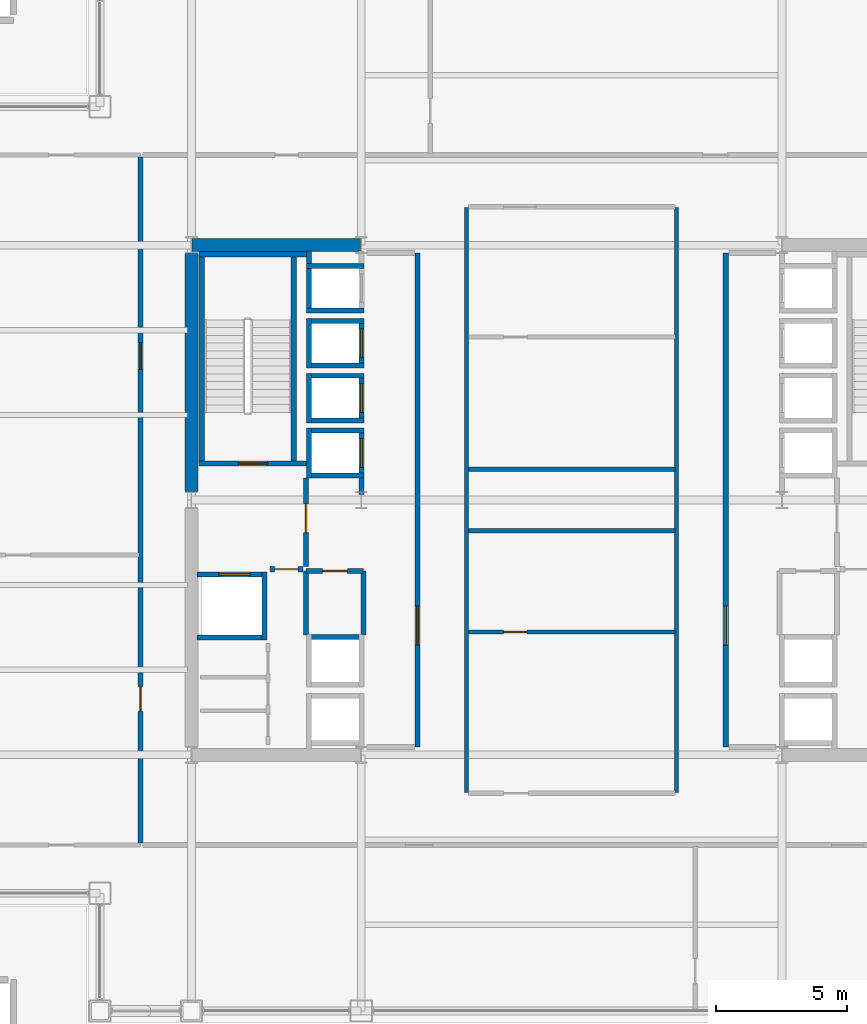
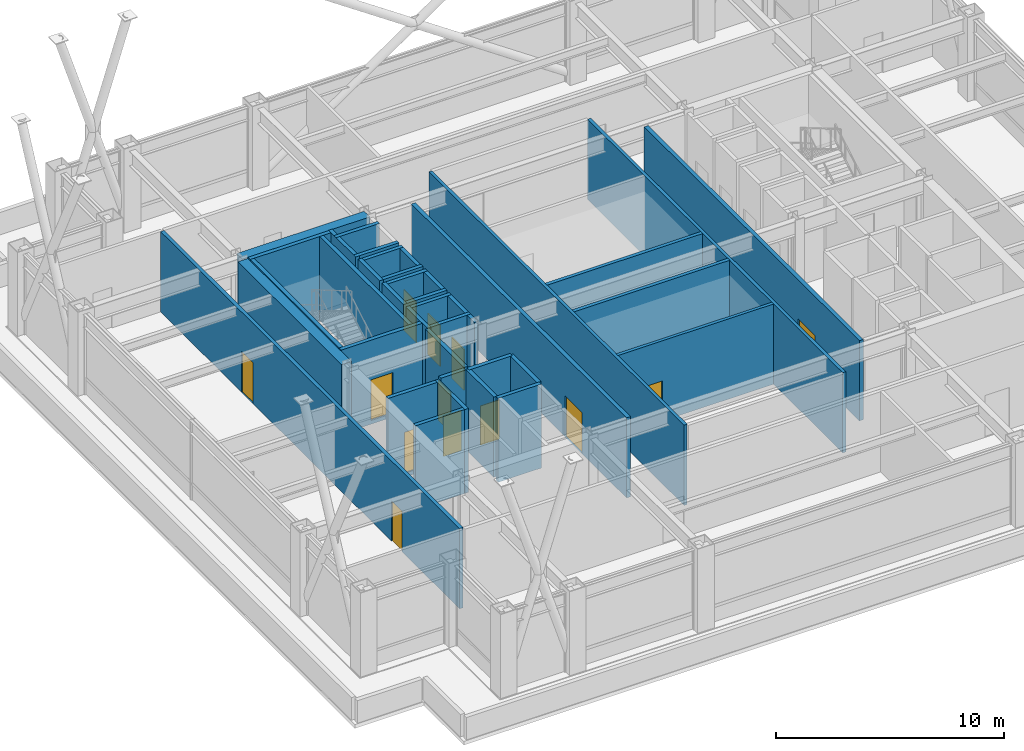
# One storey, part 29 of 32: 38 walls, 13 doors, 13 openings.
"""IFC4 building model written with IfcOpenShell, lengths in metres."""

from ifc_helpers import new_model, si_unit, direction, frame, frame_2d, origin, place, context, subcontext, project, spatial, rectangle, extrude, material, layer, layer_set, type_object, element, fill, save


model = new_model("IFC4")

# Units and contexts
model_context = context("Model", 3, precision=1e-05, world=origin(), true_north=direction((0.0, 1.0)))
body_context = subcontext(model_context, "Body", "Model", "MODEL_VIEW")
ifc_project = project(units=[si_unit("LENGTHUNIT", "METRE"), si_unit("AREAUNIT", "SQUARE_METRE"), si_unit("VOLUMEUNIT", "CUBIC_METRE"), si_unit("PLANEANGLEUNIT", "RADIAN"), si_unit("MASSUNIT", "GRAM", prefix="KILO")], contexts=[model_context])

# Site, building, storey
site_placement = place(None, origin())
site = spatial("IfcSite", under=ifc_project, at=site_placement, CompositionType="ELEMENT")
building_placement = place(site_placement, origin())
building = spatial("IfcBuilding", under=site, at=building_placement, Name="Brelmoor Portico Tower", CompositionType="ELEMENT")
storey_placement = place(building_placement, frame((0.0, 0.0, 87.300048828125)))
storey = spatial("IfcBuildingStorey", under=building, at=storey_placement, Name="L22", CompositionType="ELEMENT", Elevation=87.300048828125)

# Walls
ifc_material_1 = material(Name="Concrete C60", Category="concrete")
ifc_layer_1 = layer(ifc_material_1, 0.5)
ifc_layer_set_1 = layer_set([ifc_layer_1], Name="Concrete C60")
wall_type_1 = type_object("IfcWallType", Name="WL-CORE-500", PredefinedType="SHEAR", material=ifc_layer_set_1)
wall_1_placement = place(storey_placement, frame((-14.530029296875, 9.75, -0.199951171875), z_axis=(0.0, 0.0, 1.0), x_axis=(1.0, 0.0, 0.0)))
element("IfcWall", 1, at=wall_1_placement, inside=storey, type_object=wall_type_1, Name="L22 WC North Shear Wall", PredefinedType="SHEAR", context=body_context, shape_type="SweptSolid", body=[
    extrude(rectangle(XDim=6.4599609375, YDim=0.5, at=frame_2d((3.22998046875, 0.0))), origin(), (0.0, 0.0, 1.0), 4.5),
])
wall_2_placement = place(storey_placement, frame((-14.550048828125, 0.324951171875, -0.199951171875), z_axis=(0.0, 0.0, 1.0), x_axis=(0.0, 1.0, 0.0)))
element("IfcWall", 2, at=wall_2_placement, inside=storey, type_object=wall_type_1, Name="L22 WC Outer North Shear Wall", PredefinedType="SHEAR", context=body_context, shape_type="SweptSolid", body=[
    extrude(rectangle(XDim=9.10009765625, YDim=0.5, at=frame_2d((4.550048828125, 0.0))), origin(), (0.0, 0.0, 1.0), 4.5),
])
ifc_material_2 = material(Name="Twin-Frame Acoustic Partition", Category="gypsum")
ifc_layer_2 = layer(ifc_material_2, 0.159912109375)
ifc_layer_set_2 = layer_set([ifc_layer_2], Name="Twin-Frame Acoustic Partition")
wall_type_2 = type_object("IfcWallType", Name="WL-PART-160", PredefinedType="PARTITIONING", material=ifc_layer_set_2)
for number, where, z_axis, x_axis, name in (
    (3, (-4.02001953125, -11.199951171875, 0.0), (0.0, 0.0, 1.0), (0.0, 1.0, 0.0), "L22 Central Suite West Wall"),
    (4, (4.02001953125, -11.199951171875, 0.0), (0.0, 0.0, 1.0), (0.0, 1.0, 0.0), "L22 Central Suite East Wall"),
):
    element("IfcWall", number, at=place(storey_placement, frame(where, z_axis=z_axis, x_axis=x_axis)), inside=storey, type_object=wall_type_2, Name=name, PredefinedType="PARTITIONING", context=body_context, shape_type="SweptSolid", body=[
        extrude(rectangle(XDim=22.39990234375, YDim=0.159912109375, at=frame_2d((11.199951171875, 0.0))), origin(), (0.0, 0.0, 1.0), 4.300048828125),
    ])

# Wall, opening, door
wall_3_placement = place(storey_placement, frame((-3.949951171875, -5.050048828125, 0.0), z_axis=(0.0, 0.0, 1.0), x_axis=(1.0, 0.0, 0.0)))
wall_3 = element("IfcWall", 5, at=wall_3_placement, inside=storey, type_object=wall_type_2, Name="L22 Central Print Divider", PredefinedType="PARTITIONING", context=body_context, shape_type="SweptSolid", body=[
    extrude(rectangle(XDim=7.89990234375, YDim=0.159912109375, at=frame_2d((3.949951171875, 0.0))), origin(), (0.0, 0.0, 1.0), 4.300048828125),
])
opening_1_placement = place(wall_3_placement, frame((1.35009765625, 0.0, 0.0)))
opening_1 = element("IfcOpeningElement", 6, at=opening_1_placement, cuts=wall_3, Name="Opening D-IN1", PredefinedType="OPENING", context=body_context, shape_type="SweptSolid", body=[
    extrude(rectangle(XDim=0.89990234375, YDim=2.14990234375, at=frame_2d((0.449951171875, 1.074951171875))), frame((0.0, 0.08984375, 0.0), z_axis=(0.0, -1.0, 0.0), x_axis=(1.0, 0.0, 0.0)), (0.0, 0.0, 1.0), 0.179931640625),
])
ifc_material_3 = material(Name="Lacquered Timber Suite Door", Category="wood")
door_type_1 = type_object("IfcDoorType", Name="DR-INT-900", OperationType="NOTDEFINED", PredefinedType="DOOR", material=ifc_material_3)
door_1_placement = place(opening_1_placement, origin())
door_1 = element("IfcDoor", 7, at=door_1_placement, inside=storey, type_object=door_type_1, Name="D-0976 L22 Central Print Studio Door", OperationType="SINGLE_SWING_LEFT", OverallHeight=2.14990234375, OverallWidth=0.89990234375, PredefinedType="DOOR", context=body_context, shape_type="SweptSolid", body=[
    extrude(rectangle(XDim=0.89990234375, YDim=2.14990234375, at=frame_2d((0.449951171875, 1.074951171875))), frame((0.0, 0.02490234375, 0.0), z_axis=(0.0, -1.0, 0.0), x_axis=(1.0, 0.0, 0.0)), (0.0, 0.0, 1.0), 0.050048828125),
])
fill(opening_1, door_1)

# Walls
ifc_material_4 = material(Name="Acoustic Corridor Fire Partition", Category="gypsum")
ifc_layer_3 = layer(ifc_material_4, 0.179931640625)
ifc_layer_set_3 = layer_set([ifc_layer_3], Name="Acoustic Corridor Fire Partition")
wall_type_3 = type_object("IfcWallType", Name="WL-PART-180", PredefinedType="PARTITIONING", material=ifc_layer_set_3)
for number, where, z_axis, x_axis, name in (
    (8, (-3.949951171875, 1.179931640625, 0.0), (0.0, 0.0, 1.0), (1.0, 0.0, 0.0), "L22 Central Meeting South Wall"),
    (9, (-3.949951171875, -1.179931640625, 0.0), (0.0, 0.0, 1.0), (1.0, 0.0, 0.0), "L22 Central Pantry North Wall"),
):
    element("IfcWall", number, at=place(storey_placement, frame(where, z_axis=z_axis, x_axis=x_axis)), inside=storey, type_object=wall_type_3, Name=name, PredefinedType="PARTITIONING", context=body_context, shape_type="SweptSolid", body=[
        extrude(rectangle(XDim=7.89990234375, YDim=0.179931640625, at=frame_2d((3.949951171875, 0.0))), origin(), (0.0, 0.0, 1.0), 4.300048828125),
    ])

# Wall, openings, doors
wall_4_placement = place(storey_placement, frame((-16.5, -13.1201171875, 0.0), z_axis=(0.0, 0.0, 1.0), x_axis=(0.0, 1.0, 0.0)))
wall_4 = element("IfcWall", 10, at=wall_4_placement, inside=storey, type_object=wall_type_3, Name="L22 W Wing Corridor Wall", PredefinedType="PARTITIONING", context=body_context, shape_type="SweptSolid", body=[
    extrude(rectangle(XDim=26.240234375, YDim=0.179931640625, at=frame_2d((13.1201171875, 0.0))), origin(), (0.0, 0.0, 1.0), 4.300048828125),
])
opening_2_placement = place(wall_4_placement, frame((5.030517578125, 0.0, 0.0)))
opening_2 = element("IfcOpeningElement", 11, at=opening_2_placement, cuts=wall_4, Name="Opening D-IN2", PredefinedType="OPENING", context=body_context, shape_type="SweptSolid", body=[
    extrude(rectangle(XDim=0.9599609375, YDim=2.179931640625, at=frame_2d((0.47998046875, 1.08984375))), frame((0.0, 0.099853515625, 0.0), z_axis=(0.0, -1.0, 0.0), x_axis=(1.0, 0.0, 0.0)), (0.0, 0.0, 1.0), 0.199951171875),
])
opening_3_placement = place(wall_4_placement, frame((18.120361328125, 0.0, 0.0)))
opening_3 = element("IfcOpeningElement", 12, at=opening_3_placement, cuts=wall_4, Name="Opening D-OF1", PredefinedType="OPENING", context=body_context, shape_type="SweptSolid", body=[
    extrude(rectangle(XDim=1.02001953125, YDim=2.199951171875, at=frame_2d((0.510009765625, 1.10009765625))), frame((0.0, 0.099853515625, 0.0), z_axis=(0.0, -1.0, 0.0), x_axis=(1.0, 0.0, 0.0)), (0.0, 0.0, 1.0), 0.199951171875),
])
door_type_2 = type_object("IfcDoorType", Name="DR-INT-950", OperationType="NOTDEFINED", PredefinedType="DOOR", material=ifc_material_3)
door_2_placement = place(opening_2_placement, origin())
door_2 = element("IfcDoor", 13, at=door_2_placement, inside=storey, type_object=door_type_2, Name="D-1003 L22 W Sky-Lobby Transfer Lounge 1 Door", OperationType="SINGLE_SWING_LEFT", OverallHeight=2.179931640625, OverallWidth=0.9599609375, PredefinedType="DOOR", context=body_context, shape_type="SweptSolid", body=[
    extrude(rectangle(XDim=0.9599609375, YDim=2.179931640625, at=frame_2d((0.47998046875, 1.08984375))), frame((0.0, 0.02490234375, 0.0), z_axis=(0.0, -1.0, 0.0), x_axis=(1.0, 0.0, 0.0)), (0.0, 0.0, 1.0), 0.050048828125),
])
fill(opening_2, door_2)
ifc_material_5 = material(Name="Hardwood Acoustic Veneer Door", Category="wood")
door_type_3 = type_object("IfcDoorType", Name="DR-OFFICE-1000", OperationType="NOTDEFINED", PredefinedType="DOOR", material=ifc_material_5)
door_3_placement = place(opening_3_placement, origin())
door_3 = element("IfcDoor", 14, at=door_3_placement, inside=storey, type_object=door_type_3, Name="D-1004 L22 W Executive Business Office 2 Door", OperationType="SINGLE_SWING_RIGHT", OverallHeight=2.199951171875, OverallWidth=1.02001953125, PredefinedType="DOOR", context=body_context, shape_type="SweptSolid", body=[
    extrude(rectangle(XDim=1.02001953125, YDim=2.199951171875, at=frame_2d((0.510009765625, 1.10009765625))), frame((0.0, 0.02490234375, 0.0), z_axis=(0.0, -1.0, 0.0), x_axis=(1.0, 0.0, 0.0)), (0.0, 0.0, 1.0), 0.050048828125),
])
fill(opening_3, door_3)

# Wall, opening, door
ifc_material_6 = material(Name="Double-Stud Gypsum Fire Partition", Category="gypsum")
ifc_layer_4 = layer(ifc_material_6, 0.199951171875)
ifc_layer_set_4 = layer_set([ifc_layer_4], Name="Double-Stud Gypsum Fire Partition")
wall_type_4 = type_object("IfcWallType", Name="WL-PART-200", PredefinedType="PARTITIONING", material=ifc_layer_set_4)
wall_5_placement = place(storey_placement, frame((-5.89990234375, -9.449951171875, 0.0), z_axis=(0.0, 0.0, 1.0), x_axis=(0.0, 1.0, 0.0)))
wall_5 = element("IfcWall", 15, at=wall_5_placement, inside=storey, type_object=wall_type_4, Name="L22 W Core Lobby Compartment Wall", PredefinedType="PARTITIONING", context=body_context, shape_type="SweptSolid", body=[
    extrude(rectangle(XDim=18.89990234375, YDim=0.199951171875, at=frame_2d((9.449951171875, 0.0))), origin(), (0.0, 0.0, 1.0), 4.300048828125),
])
opening_4_placement = place(wall_5_placement, frame((3.89990234375, 0.0, 0.0)))
opening_4 = element("IfcOpeningElement", 16, at=opening_4_placement, cuts=wall_5, Name="Opening D-LB1", PredefinedType="OPENING", context=body_context, shape_type="SweptSolid", body=[
    extrude(rectangle(XDim=1.5, YDim=2.199951171875, at=frame_2d((0.75, 1.10009765625))), frame((0.0, 0.10986328125, 0.0), z_axis=(0.0, -1.0, 0.0), x_axis=(1.0, 0.0, 0.0)), (0.0, 0.0, 1.0), 0.219970703125),
])
ifc_material_7 = material(Name="Double-Leaf Glazed Steel Fire Door", Category="steel")
door_type_4 = type_object("IfcDoorType", Name="DR-LOBBY-1500", OperationType="NOTDEFINED", PredefinedType="DOOR", material=ifc_material_7)
door_4_placement = place(opening_4_placement, origin())
door_4 = element("IfcDoor", 17, at=door_4_placement, inside=storey, type_object=door_type_4, Name="D-0989 L22 W Lift Lobby Main Door", OperationType="DOUBLE_DOOR_SINGLE_SWING", OverallHeight=2.199951171875, OverallWidth=1.5, PredefinedType="DOOR", context=body_context, shape_type="SweptSolid", body=[
    extrude(rectangle(XDim=1.5, YDim=2.199951171875, at=frame_2d((0.75, 1.10009765625))), frame((0.0, 0.02490234375, 0.0), z_axis=(0.0, -1.0, 0.0), x_axis=(1.0, 0.0, 0.0)), (0.0, 0.0, 1.0), 0.050048828125),
])
fill(opening_4, door_4)

wall_6_placement = place(storey_placement, frame((-10.159912109375, -2.550048828125, 0.0), z_axis=(0.0, 0.0, 1.0), x_axis=(0.0, 1.0, 0.0)))
wall_6 = element("IfcWall", 18, at=wall_6_placement, inside=storey, type_object=wall_type_4, Name="L22 W Firefighting Lobby Wall", PredefinedType="PARTITIONING", context=body_context, shape_type="SweptSolid", body=[
    extrude(rectangle(XDim=3.400146484375, YDim=0.199951171875, at=frame_2d((1.7001953125, 0.0))), origin(), (0.0, 0.0, 1.0), 4.300048828125),
])
opening_5_placement = place(wall_6_placement, frame((1.300048828125, 0.0, 0.0)))
opening_5 = element("IfcOpeningElement", 19, at=opening_5_placement, cuts=wall_6, Name="Opening D-FR1", PredefinedType="OPENING", context=body_context, shape_type="SweptSolid", body=[
    extrude(rectangle(XDim=1.10009765625, YDim=2.14990234375, at=frame_2d((0.550048828125, 1.074951171875))), frame((0.0, 0.10986328125, 0.0), z_axis=(0.0, -1.0, 0.0), x_axis=(1.0, 0.0, 0.0)), (0.0, 0.0, 1.0), 0.219970703125),
])
ifc_material_8 = material(Name="Painted Galvanised Steel Fire Door", Category="steel")
door_type_5 = type_object("IfcDoorType", Name="DR-FIRE-1100", OperationType="NOTDEFINED", PredefinedType="DOOR", material=ifc_material_8)
door_5_placement = place(opening_5_placement, origin())
door_5 = element("IfcDoor", 20, at=door_5_placement, inside=storey, type_object=door_type_5, Name="D-0987 L22 W Firefighting Lobby Door", OperationType="SINGLE_SWING_LEFT", OverallHeight=2.14990234375, OverallWidth=1.10009765625, PredefinedType="DOOR", context=body_context, shape_type="SweptSolid", body=[
    extrude(rectangle(XDim=1.10009765625, YDim=2.14990234375, at=frame_2d((0.550048828125, 1.074951171875))), frame((0.0, 0.02490234375, 0.0), z_axis=(0.0, -1.0, 0.0), x_axis=(1.0, 0.0, 0.0)), (0.0, 0.0, 1.0), 0.050048828125),
])
fill(opening_5, door_5)

wall_7_placement = place(storey_placement, frame((-10.280029296875, -2.64990234375, 0.0), z_axis=(0.0, 0.0, 1.0), x_axis=(-1.0, 0.0, 0.0)))
wall_7 = element("IfcWall", 21, at=wall_7_placement, inside=storey, type_object=wall_type_4, Name="L22 W Firefighting Lobby South Wall", PredefinedType="PARTITIONING", context=body_context, shape_type="SweptSolid", body=[
    extrude(rectangle(XDim=1.27001953125, YDim=0.199951171875, at=frame_2d((0.635009765625, 0.0))), origin(), (0.0, 0.0, 1.0), 4.300048828125),
])
opening_6_placement = place(wall_7_placement, frame((0.18505859375, 0.0, 0.0)))
opening_6 = element("IfcOpeningElement", 22, at=opening_6_placement, cuts=wall_7, Name="Opening D-IN1", PredefinedType="OPENING", context=body_context, shape_type="SweptSolid", body=[
    extrude(rectangle(XDim=0.89990234375, YDim=2.14990234375, at=frame_2d((0.449951171875, 1.074951171875))), frame((0.0, 0.10986328125, 0.0), z_axis=(0.0, -1.0, 0.0), x_axis=(1.0, 0.0, 0.0)), (0.0, 0.0, 1.0), 0.219970703125),
])
door_6_placement = place(opening_6_placement, origin())
door_6 = element("IfcDoor", 23, at=door_6_placement, inside=storey, type_object=door_type_1, Name="D-0980 L22 W Core Service Vestibule Door", OperationType="SINGLE_SWING_RIGHT", OverallHeight=2.14990234375, OverallWidth=0.89990234375, PredefinedType="DOOR", context=body_context, shape_type="SweptSolid", body=[
    extrude(rectangle(XDim=0.89990234375, YDim=2.14990234375, at=frame_2d((0.449951171875, 1.074951171875))), frame((0.0, 0.02490234375, 0.0), z_axis=(0.0, -1.0, 0.0), x_axis=(1.0, 0.0, 0.0)), (0.0, 0.0, 1.0), 0.050048828125),
])
fill(opening_6, door_6)

wall_8_placement = place(storey_placement, frame((-7.9599609375, -2.719970703125, 0.0), z_axis=(0.0, 0.0, 1.0), x_axis=(-1.0, 0.0, 0.0)))
wall_8 = element("IfcWall", 24, at=wall_8_placement, inside=storey, type_object=wall_type_4, Name="L22 W Electrical Switchgear Closet Wall", PredefinedType="PARTITIONING", context=body_context, shape_type="SweptSolid", body=[
    extrude(rectangle(XDim=2.199951171875, YDim=0.199951171875, at=frame_2d((1.10009765625, 0.0))), origin(), (0.0, 0.0, 1.0), 4.300048828125),
])
opening_7_placement = place(wall_8_placement, frame((0.6201171875, 0.0, 0.0)))
opening_7 = element("IfcOpeningElement", 25, at=opening_7_placement, cuts=wall_8, Name="Opening D-FR4", PredefinedType="OPENING", context=body_context, shape_type="SweptSolid", body=[
    extrude(rectangle(XDim=0.949951171875, YDim=2.10009765625, at=frame_2d((0.47509765625, 1.050048828125))), frame((0.0, 0.10986328125, 0.0), z_axis=(0.0, -1.0, 0.0), x_axis=(1.0, 0.0, 0.0)), (0.0, 0.0, 1.0), 0.219970703125),
])
ifc_material_9 = material(Name="Painted Galvanised Steel Riser Door", Category="steel")
door_type_6 = type_object("IfcDoorType", Name="DR-FIRE-950", OperationType="NOTDEFINED", PredefinedType="DOOR", material=ifc_material_9)
door_7_placement = place(opening_7_placement, origin())
door_7 = element("IfcDoor", 26, at=door_7_placement, inside=storey, type_object=door_type_6, Name="D-0985 L22 W Electrical Switchgear Closet Door", OperationType="SINGLE_SWING_LEFT", OverallHeight=2.10009765625, OverallWidth=0.949951171875, PredefinedType="DOOR", context=body_context, shape_type="SweptSolid", body=[
    extrude(rectangle(XDim=0.949951171875, YDim=2.10009765625, at=frame_2d((0.47509765625, 1.050048828125))), frame((0.0, 0.02490234375, 0.0), z_axis=(0.0, -1.0, 0.0), x_axis=(1.0, 0.0, 0.0)), (0.0, 0.0, 1.0), 0.050048828125),
])
fill(opening_7, door_7)

# Walls
for number, where, z_axis, x_axis, name in (
    (27, (-7.9599609375, -5.159912109375, 0.0), (0.0, 0.0, 1.0), (0.0, 1.0, 0.0), "L22 W Electrical Switchgear Closet Inner Wall"),
    (28, (-10.159912109375, -5.159912109375, 0.0), (0.0, 0.0, 1.0), (0.0, 1.0, 0.0), "L22 W Electrical Switchgear Closet Outer Wall"),
):
    element("IfcWall", number, at=place(storey_placement, frame(where, z_axis=z_axis, x_axis=x_axis)), inside=storey, type_object=wall_type_4, Name=name, PredefinedType="PARTITIONING", context=body_context, shape_type="SweptSolid", body=[
        extrude(rectangle(XDim=2.43994140625, YDim=0.199951171875, at=frame_2d((1.219970703125, 0.0))), origin(), (0.0, 0.0, 1.0), 4.300048828125),
    ])

# Wall, opening, door
wall_9_placement = place(storey_placement, frame((5.89990234375, -9.449951171875, 0.0), z_axis=(0.0, 0.0, 1.0), x_axis=(0.0, 1.0, 0.0)))
wall_9 = element("IfcWall", 29, at=wall_9_placement, inside=storey, type_object=wall_type_4, Name="L22 E Core Lobby Compartment Wall", PredefinedType="PARTITIONING", context=body_context, shape_type="SweptSolid", body=[
    extrude(rectangle(XDim=18.89990234375, YDim=0.199951171875, at=frame_2d((9.449951171875, 0.0))), origin(), (0.0, 0.0, 1.0), 4.300048828125),
])
opening_8_placement = place(wall_9_placement, frame((3.89990234375, 0.0, 0.0)))
opening_8 = element("IfcOpeningElement", 30, at=opening_8_placement, cuts=wall_9, Name="Opening D-LB1", PredefinedType="OPENING", context=body_context, shape_type="SweptSolid", body=[
    extrude(rectangle(XDim=1.5, YDim=2.199951171875, at=frame_2d((0.75, 1.10009765625))), frame((0.0, 0.10986328125, 0.0), z_axis=(0.0, -1.0, 0.0), x_axis=(1.0, 0.0, 0.0)), (0.0, 0.0, 1.0), 0.219970703125),
])
door_8_placement = place(opening_8_placement, origin())
door_8 = element("IfcDoor", 31, at=door_8_placement, inside=storey, type_object=door_type_4, Name="D-0988 L22 E Lift Lobby Main Door", OperationType="DOUBLE_DOOR_SINGLE_SWING", OverallHeight=2.199951171875, OverallWidth=1.5, PredefinedType="DOOR", context=body_context, shape_type="SweptSolid", body=[
    extrude(rectangle(XDim=1.5, YDim=2.199951171875, at=frame_2d((0.75, 1.10009765625))), frame((0.0, 0.02490234375, 0.0), z_axis=(0.0, -1.0, 0.0), x_axis=(1.0, 0.0, 0.0)), (0.0, 0.0, 1.0), 0.050048828125),
])
fill(opening_8, door_8)

ifc_material_10 = material(Name="Precast Concrete C40", Category="concrete")
ifc_layer_5 = layer(ifc_material_10, 0.18994140625)
ifc_layer_set_5 = layer_set([ifc_layer_5], Name="Precast Concrete C40")
wall_type_5 = type_object("IfcWallType", Name="WL-SHAFT-180", PredefinedType="SOLIDWALL", material=ifc_layer_set_5)
wall_10_placement = place(storey_placement, frame((-8.044921875, 0.2099609375, -0.199951171875), z_axis=(0.0, 0.0, 1.0), x_axis=(0.0, 1.0, 0.0)))
wall_10 = element("IfcWall", 32, at=wall_10_placement, inside=storey, type_object=wall_type_5, Name="L22 Lift PL1 Hoistway Front Wall", PredefinedType="SOLIDWALL", context=body_context, shape_type="SweptSolid", body=[
    extrude(rectangle(XDim=2.5400390625, YDim=0.18994140625, at=frame_2d((1.27001953125, 0.0))), origin(), (0.0, 0.0, 1.0), 4.5),
])
opening_9_placement = place(wall_10_placement, frame((1.0400390625, 0.0, 0.199951171875)))
opening_9 = element("IfcOpeningElement", 33, at=opening_9_placement, cuts=wall_10, Name="Opening LD-01", PredefinedType="OPENING", context=body_context, shape_type="SweptSolid", body=[
    extrude(rectangle(XDim=1.10009765625, YDim=2.199951171875, at=frame_2d((0.550048828125, 1.10009765625))), frame((0.0, 0.10498046875, 0.0), z_axis=(0.0, -1.0, 0.0), x_axis=(1.0, 0.0, 0.0)), (0.0, 0.0, 1.0), 0.2099609375),
])
ifc_material_11 = material(Name="Brushed Stainless Steel Sliding Lift Door", Category="steel")
door_type_7 = type_object("IfcDoorType", Name="DR-LIFT-1100", OperationType="NOTDEFINED", PredefinedType="DOOR", material=ifc_material_11)
door_9_placement = place(opening_9_placement, origin())
door_9 = element("IfcDoor", 34, at=door_9_placement, inside=storey, type_object=door_type_7, Name="D-1008 L22 Lift PL1 Sliding Landing Door", OperationType="SLIDING_TO_LEFT", OverallHeight=2.199951171875, OverallWidth=1.10009765625, PredefinedType="DOOR", context=body_context, shape_type="SweptSolid", body=[
    extrude(rectangle(XDim=1.10009765625, YDim=2.199951171875, at=frame_2d((0.550048828125, 1.10009765625))), frame((0.0, 0.02490234375, 0.0), z_axis=(0.0, -1.0, 0.0), x_axis=(1.0, 0.0, 0.0)), (0.0, 0.0, 1.0), 0.050048828125),
])
fill(opening_9, door_9)

# Walls
wall_11_placement = place(storey_placement, frame((-10.054931640625, 0.85009765625, -0.199951171875), z_axis=(0.0, 0.0, 1.0), x_axis=(0.0, 1.0, 0.0)))
element("IfcWall", 35, at=wall_11_placement, inside=storey, type_object=wall_type_5, Name="L22 Lift PL1 Hoistway Back Wall", PredefinedType="SOLIDWALL", context=body_context, shape_type="SweptSolid", body=[
    extrude(rectangle(XDim=1.89990234375, YDim=0.18994140625, at=frame_2d((0.949951171875, 0.0))), origin(), (0.0, 0.0, 1.0), 4.5),
])
for number, where, z_axis, x_axis, name in (
    (36, (-10.14990234375, 2.655029296875, -0.199951171875), (0.0, 0.0, 1.0), (1.0, 0.0, 0.0), "L22 Lift PL1 Hoistway North Wall"),
    (37, (-10.14990234375, 0.945068359375, -0.199951171875), (0.0, 0.0, 1.0), (1.0, 0.0, 0.0), "L22 Lift PL1 Hoistway South Wall"),
):
    element("IfcWall", number, at=place(storey_placement, frame(where, z_axis=z_axis, x_axis=x_axis)), inside=storey, type_object=wall_type_5, Name=name, PredefinedType="SOLIDWALL", context=body_context, shape_type="SweptSolid", body=[
        extrude(rectangle(XDim=2.199951171875, YDim=0.18994140625, at=frame_2d((1.10009765625, 0.0))), origin(), (0.0, 0.0, 1.0), 4.5),
    ])

# Wall, opening, door
wall_12_placement = place(storey_placement, frame((-8.044921875, 2.949951171875, -0.199951171875), z_axis=(0.0, 0.0, 1.0), x_axis=(0.0, 1.0, 0.0)))
wall_12 = element("IfcWall", 38, at=wall_12_placement, inside=storey, type_object=wall_type_5, Name="L22 Lift PL2 Hoistway Front Wall", PredefinedType="SOLIDWALL", context=body_context, shape_type="SweptSolid", body=[
    extrude(rectangle(XDim=1.900146484375, YDim=0.18994140625, at=frame_2d((0.9501953125, 0.0))), origin(), (0.0, 0.0, 1.0), 4.5),
])
opening_10_placement = place(wall_12_placement, frame((0.39990234375, 0.0, 0.199951171875)))
opening_10 = element("IfcOpeningElement", 39, at=opening_10_placement, cuts=wall_12, Name="Opening LD-01", PredefinedType="OPENING", context=body_context, shape_type="SweptSolid", body=[
    extrude(rectangle(XDim=1.10009765625, YDim=2.199951171875, at=frame_2d((0.550048828125, 1.10009765625))), frame((0.0, 0.10498046875, 0.0), z_axis=(0.0, -1.0, 0.0), x_axis=(1.0, 0.0, 0.0)), (0.0, 0.0, 1.0), 0.2099609375),
])
door_10_placement = place(opening_10_placement, origin())
door_10 = element("IfcDoor", 40, at=door_10_placement, inside=storey, type_object=door_type_7, Name="D-1009 L22 Lift PL2 Sliding Landing Door", OperationType="SLIDING_TO_LEFT", OverallHeight=2.199951171875, OverallWidth=1.10009765625, PredefinedType="DOOR", context=body_context, shape_type="SweptSolid", body=[
    extrude(rectangle(XDim=1.10009765625, YDim=2.199951171875, at=frame_2d((0.550048828125, 1.10009765625))), frame((0.0, 0.02490234375, 0.0), z_axis=(0.0, -1.0, 0.0), x_axis=(1.0, 0.0, 0.0)), (0.0, 0.0, 1.0), 0.050048828125),
])
fill(opening_10, door_10)

# Walls
wall_13_placement = place(storey_placement, frame((-10.054931640625, 2.949951171875, -0.199951171875), z_axis=(0.0, 0.0, 1.0), x_axis=(0.0, 1.0, 0.0)))
element("IfcWall", 41, at=wall_13_placement, inside=storey, type_object=wall_type_5, Name="L22 Lift PL2 Hoistway Back Wall", PredefinedType="SOLIDWALL", context=body_context, shape_type="SweptSolid", body=[
    extrude(rectangle(XDim=1.900146484375, YDim=0.18994140625, at=frame_2d((0.9501953125, 0.0))), origin(), (0.0, 0.0, 1.0), 4.5),
])
for number, where, z_axis, x_axis, name in (
    (42, (-10.14990234375, 4.7548828125, -0.199951171875), (0.0, 0.0, 1.0), (1.0, 0.0, 0.0), "L22 Lift PL2 Hoistway North Wall"),
    (43, (-10.14990234375, 3.044921875, -0.199951171875), (0.0, 0.0, 1.0), (1.0, 0.0, 0.0), "L22 Lift PL2 Hoistway South Wall"),
):
    element("IfcWall", number, at=place(storey_placement, frame(where, z_axis=z_axis, x_axis=x_axis)), inside=storey, type_object=wall_type_5, Name=name, PredefinedType="SOLIDWALL", context=body_context, shape_type="SweptSolid", body=[
        extrude(rectangle(XDim=2.199951171875, YDim=0.18994140625, at=frame_2d((1.10009765625, 0.0))), origin(), (0.0, 0.0, 1.0), 4.5),
    ])

# Wall, opening, door
wall_14_placement = place(storey_placement, frame((-8.044921875, 5.050048828125, -0.199951171875), z_axis=(0.0, 0.0, 1.0), x_axis=(0.0, 1.0, 0.0)))
wall_14 = element("IfcWall", 44, at=wall_14_placement, inside=storey, type_object=wall_type_5, Name="L22 Lift PL3 Hoistway Front Wall", PredefinedType="SOLIDWALL", context=body_context, shape_type="SweptSolid", body=[
    extrude(rectangle(XDim=1.89990234375, YDim=0.18994140625, at=frame_2d((0.949951171875, 0.0))), origin(), (0.0, 0.0, 1.0), 4.5),
])
opening_11_placement = place(wall_14_placement, frame((0.39990234375, 0.0, 0.199951171875)))
opening_11 = element("IfcOpeningElement", 45, at=opening_11_placement, cuts=wall_14, Name="Opening LD-01", PredefinedType="OPENING", context=body_context, shape_type="SweptSolid", body=[
    extrude(rectangle(XDim=1.10009765625, YDim=2.199951171875, at=frame_2d((0.550048828125, 1.10009765625))), frame((0.0, 0.10498046875, 0.0), z_axis=(0.0, -1.0, 0.0), x_axis=(1.0, 0.0, 0.0)), (0.0, 0.0, 1.0), 0.2099609375),
])
door_11_placement = place(opening_11_placement, origin())
door_11 = element("IfcDoor", 46, at=door_11_placement, inside=storey, type_object=door_type_7, Name="D-1010 L22 Lift PL3 Sliding Landing Door", OperationType="SLIDING_TO_LEFT", OverallHeight=2.199951171875, OverallWidth=1.10009765625, PredefinedType="DOOR", context=body_context, shape_type="SweptSolid", body=[
    extrude(rectangle(XDim=1.10009765625, YDim=2.199951171875, at=frame_2d((0.550048828125, 1.10009765625))), frame((0.0, 0.02490234375, 0.0), z_axis=(0.0, -1.0, 0.0), x_axis=(1.0, 0.0, 0.0)), (0.0, 0.0, 1.0), 0.050048828125),
])
fill(opening_11, door_11)

# Walls
wall_15_placement = place(storey_placement, frame((-10.054931640625, 5.050048828125, -0.199951171875), z_axis=(0.0, 0.0, 1.0), x_axis=(0.0, 1.0, 0.0)))
element("IfcWall", 47, at=wall_15_placement, inside=storey, type_object=wall_type_5, Name="L22 Lift PL3 Hoistway Back Wall", PredefinedType="SOLIDWALL", context=body_context, shape_type="SweptSolid", body=[
    extrude(rectangle(XDim=1.89990234375, YDim=0.18994140625, at=frame_2d((0.949951171875, 0.0))), origin(), (0.0, 0.0, 1.0), 4.5),
])
for number, where, z_axis, x_axis, name in (
    (48, (-10.14990234375, 6.85498046875, -0.199951171875), (0.0, 0.0, 1.0), (1.0, 0.0, 0.0), "L22 Lift PL3 Hoistway North Wall"),
    (49, (-10.14990234375, 5.14501953125, -0.199951171875), (0.0, 0.0, 1.0), (1.0, 0.0, 0.0), "L22 Lift PL3 Hoistway South Wall"),
):
    element("IfcWall", number, at=place(storey_placement, frame(where, z_axis=z_axis, x_axis=x_axis)), inside=storey, type_object=wall_type_5, Name=name, PredefinedType="SOLIDWALL", context=body_context, shape_type="SweptSolid", body=[
        extrude(rectangle(XDim=2.199951171875, YDim=0.18994140625, at=frame_2d((1.10009765625, 0.0))), origin(), (0.0, 0.0, 1.0), 4.5),
    ])
wall_16_placement = place(storey_placement, frame((-10.054931640625, 7.14990234375, -0.199951171875), z_axis=(0.0, 0.0, 1.0), x_axis=(0.0, 1.0, 0.0)))
element("IfcWall", 50, at=wall_16_placement, inside=storey, type_object=wall_type_5, Name="L22 Lift PL4 Hoistway Back Wall", PredefinedType="SOLIDWALL", context=body_context, shape_type="SweptSolid", body=[
    extrude(rectangle(XDim=2.3701171875, YDim=0.18994140625, at=frame_2d((1.18505859375, 0.0))), origin(), (0.0, 0.0, 1.0), 4.5),
])
for number, where, z_axis, x_axis, name in (
    (51, (-10.14990234375, 8.955078125, -0.199951171875), (0.0, 0.0, 1.0), (1.0, 0.0, 0.0), "L22 Lift PL4 Hoistway North Wall"),
    (52, (-10.14990234375, 7.2451171875, -0.199951171875), (0.0, 0.0, 1.0), (1.0, 0.0, 0.0), "L22 Lift PL4 Hoistway South Wall"),
    (53, (-10.14990234375, -5.2451171875, -0.199951171875), (0.0, 0.0, 1.0), (1.0, 0.0, 0.0), "L22 Lift PH2 Hoistway North Wall"),
):
    element("IfcWall", number, at=place(storey_placement, frame(where, z_axis=z_axis, x_axis=x_axis)), inside=storey, type_object=wall_type_5, Name=name, PredefinedType="SOLIDWALL", context=body_context, shape_type="SweptSolid", body=[
        extrude(rectangle(XDim=2.199951171875, YDim=0.18994140625, at=frame_2d((1.10009765625, 0.0))), origin(), (0.0, 0.0, 1.0), 4.5),
    ])

# Wall, opening, door
wall_17_placement = place(storey_placement, frame((-14.330078125, -2.844970703125, -0.199951171875), z_axis=(0.0, 0.0, 1.0), x_axis=(1.0, 0.0, 0.0)))
wall_17 = element("IfcWall", 54, at=wall_17_placement, inside=storey, type_object=wall_type_5, Name="L22 Lift FF1 Hoistway Front Wall", PredefinedType="SOLIDWALL", context=body_context, shape_type="SweptSolid", body=[
    extrude(rectangle(XDim=2.68017578125, YDim=0.18994140625, at=frame_2d((1.340087890625, 0.0))), origin(), (0.0, 0.0, 1.0), 4.5),
])
opening_12_placement = place(wall_17_placement, frame((0.830078125, 0.0, 0.199951171875)))
opening_12 = element("IfcOpeningElement", 55, at=opening_12_placement, cuts=wall_17, Name="Opening LD-02", PredefinedType="OPENING", context=body_context, shape_type="SweptSolid", body=[
    extrude(rectangle(XDim=1.199951171875, YDim=2.199951171875, at=frame_2d((0.60009765625, 1.10009765625))), frame((0.0, 0.10498046875, 0.0), z_axis=(0.0, -1.0, 0.0), x_axis=(1.0, 0.0, 0.0)), (0.0, 0.0, 1.0), 0.2099609375),
])
ifc_material_12 = material(Name="Brushed Stainless Steel Firefighting Lift Door", Category="steel")
door_type_8 = type_object("IfcDoorType", Name="DR-LIFT-1200", OperationType="NOTDEFINED", PredefinedType="DOOR", material=ifc_material_12)
door_12_placement = place(opening_12_placement, origin())
door_12 = element("IfcDoor", 56, at=door_12_placement, inside=storey, type_object=door_type_8, Name="D-1006 L22 Lift FF1 Sliding Landing Door", OperationType="SLIDING_TO_LEFT", OverallHeight=2.199951171875, OverallWidth=1.199951171875, PredefinedType="DOOR", context=body_context, shape_type="SweptSolid", body=[
    extrude(rectangle(XDim=1.199951171875, YDim=2.199951171875, at=frame_2d((0.60009765625, 1.10009765625))), frame((0.0, 0.02490234375, 0.0), z_axis=(0.0, -1.0, 0.0), x_axis=(1.0, 0.0, 0.0)), (0.0, 0.0, 1.0), 0.050048828125),
])
fill(opening_12, door_12)

# Walls
wall_18_placement = place(storey_placement, frame((-14.330078125, -5.2548828125, -0.199951171875), z_axis=(0.0, 0.0, 1.0), x_axis=(1.0, 0.0, 0.0)))
element("IfcWall", 57, at=wall_18_placement, inside=storey, type_object=wall_type_5, Name="L22 Firefighting Lift FF1 South Wall", PredefinedType="SOLIDWALL", context=body_context, shape_type="SweptSolid", body=[
    extrude(rectangle(XDim=2.68017578125, YDim=0.18994140625, at=frame_2d((1.340087890625, 0.0))), origin(), (0.0, 0.0, 1.0), 4.5),
])
wall_19_placement = place(storey_placement, frame((-11.7451171875, -5.35009765625, -0.199951171875), z_axis=(0.0, 0.0, 1.0), x_axis=(0.0, 1.0, 0.0)))
element("IfcWall", 58, at=wall_19_placement, inside=storey, type_object=wall_type_5, Name="L22 Firefighting Lift FF1 Inner Wall", PredefinedType="SOLIDWALL", context=body_context, shape_type="SweptSolid", body=[
    extrude(rectangle(XDim=2.60009765625, YDim=0.18994140625, at=frame_2d((1.300048828125, 0.0))), origin(), (0.0, 0.0, 1.0), 4.5),
])
ifc_material_13 = material(Name="Concrete C40", Category="concrete")
ifc_layer_6 = layer(ifc_material_13, 0.199951171875)
ifc_layer_set_6 = layer_set([ifc_layer_6], Name="Concrete C40")
wall_type_6 = type_object("IfcWallType", Name="WL-SHAFT-RC200", PredefinedType="SOLIDWALL", material=ifc_layer_set_6)
wall_20_placement = place(storey_placement, frame((-14.14990234375, 1.5, -0.199951171875), z_axis=(0.0, 0.0, 1.0), x_axis=(0.0, 1.0, 0.0)))
element("IfcWall", 59, at=wall_20_placement, inside=storey, type_object=wall_type_6, Name="L22 ST-W Structural Stair Wall Outer", PredefinedType="SOLIDWALL", context=body_context, shape_type="SweptSolid", body=[
    extrude(rectangle(XDim=7.800048828125, YDim=0.199951171875, at=frame_2d((3.89990234375, 0.0))), origin(), (0.0, 0.0, 1.0), 4.5),
])

# Wall, opening, door
wall_21_placement = place(storey_placement, frame((-14.25, 1.39990234375, -0.199951171875), z_axis=(0.0, 0.0, 1.0), x_axis=(1.0, 0.0, 0.0)))
wall_21 = element("IfcWall", 60, at=wall_21_placement, inside=storey, type_object=wall_type_6, Name="L22 ST-W Structural Stair Wall S", PredefinedType="SOLIDWALL", context=body_context, shape_type="SweptSolid", body=[
    extrude(rectangle(XDim=4.10009765625, YDim=0.199951171875, at=frame_2d((2.050048828125, 0.0))), origin(), (0.0, 0.0, 1.0), 4.5),
])
opening_13_placement = place(wall_21_placement, frame((1.5, 0.0, 0.199951171875)))
opening_13 = element("IfcOpeningElement", 61, at=opening_13_placement, cuts=wall_21, Name="Opening D-ST1", PredefinedType="OPENING", context=body_context, shape_type="SweptSolid", body=[
    extrude(rectangle(XDim=1.1201171875, YDim=2.179931640625, at=frame_2d((0.56005859375, 1.08984375))), frame((0.0, 0.10986328125, 0.0), z_axis=(0.0, -1.0, 0.0), x_axis=(1.0, 0.0, 0.0)), (0.0, 0.0, 1.0), 0.219970703125),
])
door_type_9 = type_object("IfcDoorType", Name="DR-STAIR-1100", OperationType="NOTDEFINED", PredefinedType="DOOR", material=ifc_material_8)
door_13_placement = place(opening_13_placement, origin())
door_13 = element("IfcDoor", 62, at=door_13_placement, inside=storey, type_object=door_type_9, Name="D-0999 L22 ST-W Protected Exit Stair Door", OperationType="SINGLE_SWING_LEFT", OverallHeight=2.179931640625, OverallWidth=1.1201171875, PredefinedType="DOOR", context=body_context, shape_type="SweptSolid", body=[
    extrude(rectangle(XDim=1.1201171875, YDim=2.179931640625, at=frame_2d((0.56005859375, 1.08984375))), frame((0.0, 0.02490234375, 0.0), z_axis=(0.0, -1.0, 0.0), x_axis=(1.0, 0.0, 0.0)), (0.0, 0.0, 1.0), 0.050048828125),
])
fill(opening_13, door_13)

# Walls
wall_22_placement = place(storey_placement, frame((-14.25, 9.39990234375, -0.199951171875), z_axis=(0.0, 0.0, 1.0), x_axis=(1.0, 0.0, 0.0)))
element("IfcWall", 63, at=wall_22_placement, inside=storey, type_object=wall_type_6, Name="L22 ST-W Structural Stair Wall N", PredefinedType="SOLIDWALL", context=body_context, shape_type="SweptSolid", body=[
    extrude(rectangle(XDim=4.10009765625, YDim=0.199951171875, at=frame_2d((2.050048828125, 0.0))), origin(), (0.0, 0.0, 1.0), 4.5),
])
wall_23_placement = place(storey_placement, frame((-10.6298828125, 1.5, -0.199951171875), z_axis=(0.0, 0.0, 1.0), x_axis=(0.0, 1.0, 0.0)))
element("IfcWall", 64, at=wall_23_placement, inside=storey, type_object=wall_type_6, Name="L22 ST-W Structural Stair Wall Inner", PredefinedType="SOLIDWALL", context=body_context, shape_type="SweptSolid", body=[
    extrude(rectangle(XDim=7.800048828125, YDim=0.199951171875, at=frame_2d((3.89990234375, 0.0))), origin(), (0.0, 0.0, 1.0), 4.5),
])

save(model, "model.ifc")
